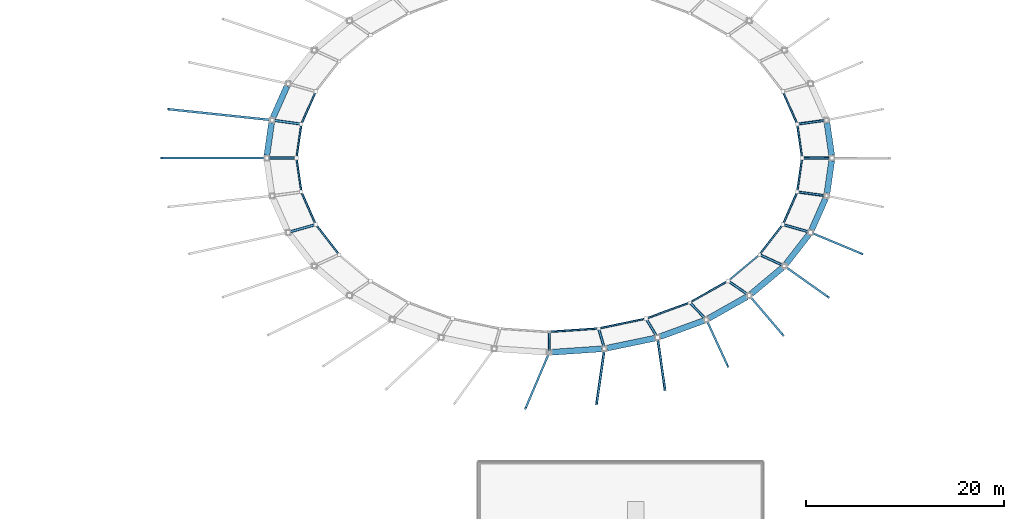
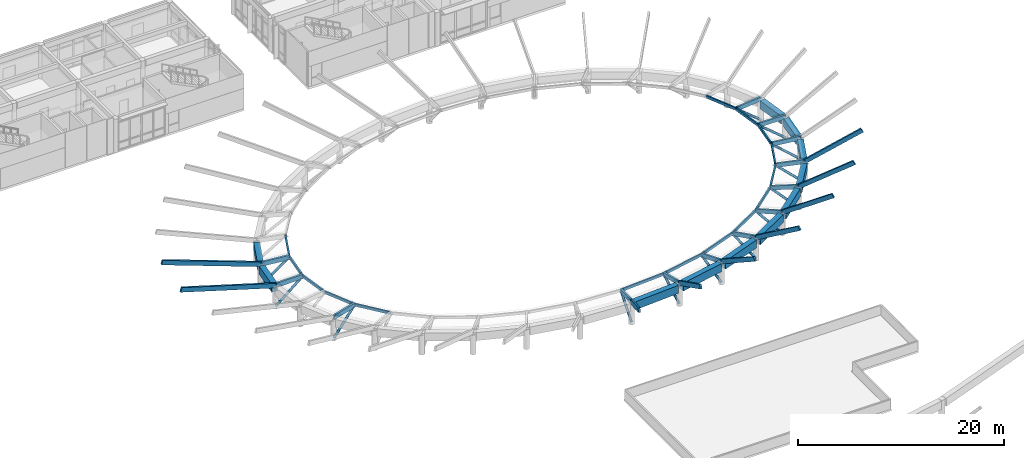
# One storey, part 3 of 37: 50 members, 11 beams.
"""IFC4 building model written with IfcOpenShell, lengths in metres."""

from ifc_helpers import new_model, si_unit, direction, frame, origin, origin_2d, place, context, subcontext, project, spatial, rectangle, hollow_circle, extrude, material, material_profile, profile_set, type_object, element, save


model = new_model("IFC4")

# Units and contexts
model_context = context("Model", 3, precision=1e-05, world=origin(), true_north=direction((0.0, 1.0)))
body_context = subcontext(model_context, "Body", "Model", "MODEL_VIEW")
ifc_project = project(units=[si_unit("LENGTHUNIT", "METRE"), si_unit("AREAUNIT", "SQUARE_METRE"), si_unit("VOLUMEUNIT", "CUBIC_METRE"), si_unit("PLANEANGLEUNIT", "RADIAN"), si_unit("MASSUNIT", "GRAM", prefix="KILO")], contexts=[model_context])

# Site, building, storey
site_placement = place(None, origin())
site = spatial("IfcSite", under=ifc_project, at=site_placement, CompositionType="ELEMENT")
building_placement = place(site_placement, origin())
building = spatial("IfcBuilding", under=site, at=building_placement, Name="Namkhue Oval Health Centre", CompositionType="ELEMENT")
storey_placement = place(building_placement, frame((0.0, 0.0, 22.199951171875)))
storey = spatial("IfcBuildingStorey", under=building, at=storey_placement, Name="L05", CompositionType="ELEMENT", Elevation=22.199951171875)

# Members
ifc_material_1 = material(Name="Structural steel EN 10025-2 S355JR (TCVN 5575:2024)", Category="steel")
ifc_material_profile_1 = material_profile(ifc_material_1, hollow_circle(Radius=0.136474609375, WallThickness=0.012451171875, at=origin_2d()), Name="CHS 273x12.5")
ifc_profile_set_1 = profile_set([ifc_material_profile_1], Name="Structural steel EN 10025-2 S355JR (TCVN 5575:2024)")
member_type_1 = type_object("IfcMemberType", Name="CANOPY STRUT CHS 273", PredefinedType="STRUT", material=ifc_profile_set_1)
member_1_placement = place(storey_placement, frame((129.296630859375, 59.39990234375, 0.11279296875), z_axis=(-0.768195730473, 0.0, 0.640215057369), x_axis=(0.0, -1.0, 0.0)))
element("IfcMember", 1, at=member_1_placement, inside=storey, type_object=member_type_1, Name="Oval Court Oculus Canopy Strut 1", PredefinedType="STRUT", context=body_context, shape_type="SweptSolid", body=[
    extrude(hollow_circle(Radius=0.136474609375, WallThickness=0.012451171875, at=origin_2d()), origin(), (0.0, 0.0, 1.0), 3.916259765625),
])
for number, where, z_axis, x_axis, name in (
    (2, (128.7490234375, 63.22216796875, 0.113037109375), (-0.757960970146, -0.103666182662, 0.644009697371), (0.135508280773, -0.990776213805, 0.0), "Oval Court Oculus Canopy Strut 2"),
    (3, (72.85107421875, 63.22216796875, 0.113037109375), (0.757960970146, -0.103666182662, 0.644009697371), (0.135508280773, 0.990776213805, 0.0), "Oval Court Oculus Canopy Strut 16"),
):
    element("IfcMember", number, at=place(storey_placement, frame(where, z_axis=z_axis, x_axis=x_axis)), inside=storey, type_object=member_type_1, Name=name, PredefinedType="STRUT", context=body_context, shape_type="SweptSolid", body=[
        extrude(hollow_circle(Radius=0.136474609375, WallThickness=0.012451171875, at=origin_2d()), origin(), (0.0, 0.0, 1.0), 3.892822265625),
    ])
member_2_placement = place(storey_placement, frame((72.303466796875, 59.39990234375, 0.11279296875), z_axis=(0.768195730473, 0.0, 0.640215057369), x_axis=(0.0, 1.0, 0.0)))
element("IfcMember", 4, at=member_2_placement, inside=storey, type_object=member_type_1, Name="Oval Court Oculus Canopy Strut 17", PredefinedType="STRUT", context=body_context, shape_type="SweptSolid", body=[
    extrude(hollow_circle(Radius=0.136474609375, WallThickness=0.012451171875, at=origin_2d()), origin(), (0.0, 0.0, 1.0), 3.916259765625),
])
member_3_placement = place(storey_placement, frame((74.472900390625, 51.90283203125, 0.113037109375), z_axis=(0.726479291949, 0.206827071786, 0.655324652936), x_axis=(-0.273817172182, 0.961781761221, 0.0)))
element("IfcMember", 5, at=member_3_placement, inside=storey, type_object=member_type_1, Name="Oval Court Oculus Canopy Strut 19", PredefinedType="STRUT", context=body_context, shape_type="SweptSolid", body=[
    extrude(hollow_circle(Radius=0.136474609375, WallThickness=0.012451171875, at=origin_2d()), origin(), (0.0, 0.0, 1.0), 3.82568359375),
])
member_4_placement = place(storey_placement, frame((100.800048828125, 39.810791015625, 0.115478515625), z_axis=(0.0, 0.636352754336, 0.771398192926), x_axis=(-1.0, 0.0, 0.0)))
element("IfcMember", 6, at=member_4_placement, inside=storey, type_object=member_type_1, Name="Oval Court Oculus Canopy Strut 25", PredefinedType="STRUT", context=body_context, shape_type="SweptSolid", body=[
    extrude(hollow_circle(Radius=0.136474609375, WallThickness=0.012451171875, at=origin_2d()), origin(), (0.0, 0.0, 1.0), 3.246826171875),
])
member_5_placement = place(storey_placement, frame((106.35888671875, 40.18701171875, 0.115234375), z_axis=(-0.179062462733, 0.618816612469, 0.764854649311), x_axis=(-0.96059272727, -0.277959731466, 0.0)))
element("IfcMember", 7, at=member_5_placement, inside=storey, type_object=member_type_1, Name="Oval Court Oculus Canopy Strut 26", PredefinedType="STRUT", context=body_context, shape_type="SweptSolid", body=[
    extrude(hollow_circle(Radius=0.136474609375, WallThickness=0.012451171875, at=origin_2d()), origin(), (0.0, 0.0, 1.0), 3.27490234375),
])
member_6_placement = place(storey_placement, frame((111.7041015625, 41.301513671875, 0.114990234375), z_axis=(-0.343057087119, 0.569407784033, 0.747051946293), x_axis=(-0.856554142156, -0.516057168883, 0.0)))
element("IfcMember", 8, at=member_6_placement, inside=storey, type_object=member_type_1, Name="Oval Court Oculus Canopy Strut 27", PredefinedType="STRUT", context=body_context, shape_type="SweptSolid", body=[
    extrude(hollow_circle(Radius=0.136474609375, WallThickness=0.012451171875, at=origin_2d()), origin(), (0.0, 0.0, 1.0), 3.353271484375),
])
member_7_placement = place(storey_placement, frame((116.630859375, 43.111328125, 0.114501953125), z_axis=(-0.481754857031, 0.495696315916, 0.722632285547), x_axis=(-0.717119357891, -0.696950375951, 0.0)))
element("IfcMember", 9, at=member_7_placement, inside=storey, type_object=member_type_1, Name="Oval Court Oculus Canopy Strut 28", PredefinedType="STRUT", context=body_context, shape_type="SweptSolid", body=[
    extrude(hollow_circle(Radius=0.136474609375, WallThickness=0.012451171875, at=origin_2d()), origin(), (0.0, 0.0, 1.0), 3.46728515625),
])
member_8_placement = place(storey_placement, frame((120.94921875, 45.54736328125, 0.114013671875), z_axis=(-0.591133806128, 0.406463876567, 0.696669175649), x_axis=(-0.56658503207, -0.824003277563, 0.0)))
element("IfcMember", 10, at=member_8_placement, inside=storey, type_object=member_type_1, Name="Oval Court Oculus Canopy Strut 29", PredefinedType="STRUT", context=body_context, shape_type="SweptSolid", body=[
    extrude(hollow_circle(Radius=0.136474609375, WallThickness=0.012451171875, at=origin_2d()), origin(), (0.0, 0.0, 1.0), 3.59716796875),
])
member_9_placement = place(storey_placement, frame((124.493408203125, 48.515869140625, 0.113525390625), z_axis=(-0.671831943496, 0.308633456276, 0.673340351803), x_axis=(-0.417448702354, -0.908700490207, 0.0)))
element("IfcMember", 11, at=member_9_placement, inside=storey, type_object=member_type_1, Name="Oval Court Oculus Canopy Strut 30", PredefinedType="STRUT", context=body_context, shape_type="SweptSolid", body=[
    extrude(hollow_circle(Radius=0.136474609375, WallThickness=0.012451171875, at=origin_2d()), origin(), (0.0, 0.0, 1.0), 3.72265625),
])
member_10_placement = place(storey_placement, frame((127.127197265625, 51.90283203125, 0.113037109375), z_axis=(-0.726479291949, 0.206827071786, 0.655324652936), x_axis=(-0.273817172182, -0.961781761221, 0.0)))
element("IfcMember", 12, at=member_10_placement, inside=storey, type_object=member_type_1, Name="Oval Court Oculus Canopy Strut 31", PredefinedType="STRUT", context=body_context, shape_type="SweptSolid", body=[
    extrude(hollow_circle(Radius=0.136474609375, WallThickness=0.012451171875, at=origin_2d()), origin(), (0.0, 0.0, 1.0), 3.82568359375),
])
member_11_placement = place(storey_placement, frame((128.7490234375, 55.577880859375, 0.113037109375), z_axis=(-0.757960970146, 0.103666182662, 0.644009697371), x_axis=(-0.135508280773, -0.990776213805, 0.0)))
element("IfcMember", 13, at=member_11_placement, inside=storey, type_object=member_type_1, Name="Oval Court Oculus Canopy Strut 32", PredefinedType="STRUT", context=body_context, shape_type="SweptSolid", body=[
    extrude(hollow_circle(Radius=0.136474609375, WallThickness=0.012451171875, at=origin_2d()), origin(), (0.0, 0.0, 1.0), 3.892822265625),
])
ifc_material_2 = material(Name="Glulam timber GL28h", Category="wood")
ifc_material_profile_2 = material_profile(ifc_material_2, rectangle(XDim=0.199951171875, YDim=0.47998046875, at=origin_2d()), Name="GL28h 200x480")
ifc_profile_set_2 = profile_set([ifc_material_profile_2], Name="Glulam timber GL28h")
member_type_2 = type_object("IfcMemberType", Name="GRIDSHELL ARCH RIB GL28H 200X480", PredefinedType="USERDEFINED", material=ifc_profile_set_2)
member_12_placement = place(storey_placement, frame((129.31201171875, 59.39990234375, 2.60009765625), z_axis=(-0.999912352719, 0.0, 0.013239595176), x_axis=(0.0, -1.0, 0.0)))
element("IfcMember", 14, at=member_12_placement, inside=storey, type_object=member_type_2, Name="Gridshell Glulam Arch Rib K6-1", ObjectType="ARCH_SEGMENT", PredefinedType="USERDEFINED", context=body_context, shape_type="SweptSolid", body=[
    extrude(rectangle(XDim=0.199951171875, YDim=0.47998046875, at=origin_2d()), origin(), (0.0, 0.0, 1.0), 3.024169921875),
])
member_13_placement = place(storey_placement, frame((128.76416015625, 63.22412109375, 2.60009765625), z_axis=(-0.990692847779, -0.135457756022, 0.013374516549), x_axis=(0.135469872834, -0.990781466094, 0.0)))
element("IfcMember", 15, at=member_13_placement, inside=storey, type_object=member_type_2, Name="Gridshell Glulam Arch Rib K6-2", ObjectType="ARCH_SEGMENT", PredefinedType="USERDEFINED", context=body_context, shape_type="SweptSolid", body=[
    extrude(rectangle(XDim=0.199951171875, YDim=0.47998046875, at=origin_2d()), origin(), (0.0, 0.0, 1.0), 2.99365234375),
])
member_14_placement = place(storey_placement, frame((98.39990234375, 34.155029296875, 5.800048828125), z_axis=(0.346993495203, 0.815828262448, -0.462622697755), x_axis=(-0.920222679638, 0.391395222096, 0.0)))
element("IfcMember", 16, at=member_14_placement, inside=storey, type_object=member_type_2, Name="Gridshell Glulam Arch Rib K5-25", ObjectType="ARCH_SEGMENT", PredefinedType="USERDEFINED", context=body_context, shape_type="SweptSolid", body=[
    extrude(rectangle(XDim=0.199951171875, YDim=0.47998046875, at=origin_2d()), origin(), (0.0, 0.0, 1.0), 6.9169921875),
])
member_15_placement = place(storey_placement, frame((100.800048828125, 39.798095703125, 2.60009765625), z_axis=(0.0, 0.999814575298, 0.01925655788), x_axis=(-1.0, 0.0, 0.0)))
element("IfcMember", 17, at=member_15_placement, inside=storey, type_object=member_type_2, Name="Gridshell Glulam Arch Rib K6-25", ObjectType="ARCH_SEGMENT", PredefinedType="USERDEFINED", context=body_context, shape_type="SweptSolid", body=[
    extrude(rectangle(XDim=0.199951171875, YDim=0.47998046875, at=origin_2d()), origin(), (0.0, 0.0, 1.0), 2.079345703125),
])
member_16_placement = place(storey_placement, frame((105.563720703125, 34.64013671875, 5.800048828125), z_axis=(0.123953417728, 0.859033942674, -0.496685247987), x_axis=(-0.989749418862, 0.142814872694, 0.0)))
element("IfcMember", 18, at=member_16_placement, inside=storey, type_object=member_type_2, Name="Gridshell Glulam Arch Rib K5-26", ObjectType="ARCH_SEGMENT", PredefinedType="USERDEFINED", context=body_context, shape_type="SweptSolid", body=[
    extrude(rectangle(XDim=0.199951171875, YDim=0.47998046875, at=origin_2d()), origin(), (0.0, 0.0, 1.0), 6.442626953125),
])
member_17_placement = place(storey_placement, frame((106.3623046875, 40.174560546875, 2.60009765625), z_axis=(-0.277829915568, 0.960445138587, 0.018859315461), x_axis=(-0.960615986739, -0.27787933716, 0.0)))
element("IfcMember", 19, at=member_17_placement, inside=storey, type_object=member_type_2, Name="Gridshell Glulam Arch Rib K6-26", ObjectType="ARCH_SEGMENT", PredefinedType="USERDEFINED", context=body_context, shape_type="SweptSolid", body=[
    extrude(rectangle(XDim=0.199951171875, YDim=0.47998046875, at=origin_2d()), origin(), (0.0, 0.0, 1.0), 2.123046875),
])
member_18_placement = place(storey_placement, frame((112.4521484375, 36.07666015625, 5.800048828125), z_axis=(-0.120251267975, 0.846077619878, -0.519319067329), x_axis=(-0.990050313687, -0.140713810155, 0.0)))
element("IfcMember", 20, at=member_18_placement, inside=storey, type_object=member_type_2, Name="Gridshell Glulam Arch Rib K5-27", ObjectType="ARCH_SEGMENT", PredefinedType="USERDEFINED", context=body_context, shape_type="SweptSolid", body=[
    extrude(rectangle(XDim=0.199951171875, YDim=0.47998046875, at=origin_2d()), origin(), (0.0, 0.0, 1.0), 6.161865234375),
])
member_19_placement = place(storey_placement, frame((111.711181640625, 41.2900390625, 2.60009765625), z_axis=(-0.515949652384, 0.856432882903, 0.017851422572), x_axis=(-0.856569376667, -0.516031881724, 0.0)))
element("IfcMember", 21, at=member_19_placement, inside=storey, type_object=member_type_2, Name="Gridshell Glulam Arch Rib K6-27", ObjectType="ARCH_SEGMENT", PredefinedType="USERDEFINED", context=body_context, shape_type="SweptSolid", body=[
    extrude(rectangle(XDim=0.199951171875, YDim=0.47998046875, at=origin_2d()), origin(), (0.0, 0.0, 1.0), 2.242919921875),
])
member_20_placement = place(storey_placement, frame((118.800537109375, 38.40966796875, 5.800048828125), z_axis=(-0.3555128309, 0.772179654637, -0.52663954279), x_axis=(-0.908351867032, -0.418206749896, 0.0)))
element("IfcMember", 22, at=member_20_placement, inside=storey, type_object=member_type_2, Name="Gridshell Glulam Arch Rib K5-28", ObjectType="ARCH_SEGMENT", PredefinedType="USERDEFINED", context=body_context, shape_type="SweptSolid", body=[
    extrude(rectangle(XDim=0.199951171875, YDim=0.47998046875, at=origin_2d()), origin(), (0.0, 0.0, 1.0), 6.076171875),
])
member_21_placement = place(storey_placement, frame((116.640380859375, 43.1015625, 2.60009765625), z_axis=(-0.696860751709, 0.717014114533, 0.016608801523), x_axis=(-0.71711302999, -0.696956886915, 0.0)))
element("IfcMember", 23, at=member_21_placement, inside=storey, type_object=member_type_2, Name="Gridshell Glulam Arch Rib K6-28", ObjectType="ARCH_SEGMENT", PredefinedType="USERDEFINED", context=body_context, shape_type="SweptSolid", body=[
    extrude(rectangle(XDim=0.199951171875, YDim=0.47998046875, at=origin_2d()), origin(), (0.0, 0.0, 1.0), 2.41064453125),
])
member_22_placement = place(storey_placement, frame((124.364990234375, 41.549072265625, 5.800048828125), z_axis=(-0.554041394979, 0.649447935131, -0.520821958258), x_axis=(-0.76077581671, -0.649014758468, 0.0)))
element("IfcMember", 24, at=member_22_placement, inside=storey, type_object=member_type_2, Name="Gridshell Glulam Arch Rib K5-29", ObjectType="ARCH_SEGMENT", PredefinedType="USERDEFINED", context=body_context, shape_type="SweptSolid", body=[
    extrude(rectangle(XDim=0.199951171875, YDim=0.47998046875, at=origin_2d()), origin(), (0.0, 0.0, 1.0), 6.14404296875),
])
member_23_placement = place(storey_placement, frame((120.9609375, 45.539306640625, 2.60009765625), z_axis=(-0.823949324389, 0.566453400565, 0.015429057913), x_axis=(-0.566520836372, -0.824047414872, 0.0)))
element("IfcMember", 25, at=member_23_placement, inside=storey, type_object=member_type_2, Name="Gridshell Glulam Arch Rib K6-29", ObjectType="ARCH_SEGMENT", PredefinedType="USERDEFINED", context=body_context, shape_type="SweptSolid", body=[
    extrude(rectangle(XDim=0.199951171875, YDim=0.47998046875, at=origin_2d()), origin(), (0.0, 0.0, 1.0), 2.594970703125),
])
member_24_placement = place(storey_placement, frame((128.931640625, 45.37451171875, 5.800048828125), z_axis=(-0.702718304958, 0.497920352696, -0.508195145833), x_axis=(-0.578142243998, -0.815935993632, 0.0)))
element("IfcMember", 26, at=member_24_placement, inside=storey, type_object=member_type_2, Name="Gridshell Glulam Arch Rib K5-30", ObjectType="ARCH_SEGMENT", PredefinedType="USERDEFINED", context=body_context, shape_type="SweptSolid", body=[
    extrude(rectangle(XDim=0.199951171875, YDim=0.47998046875, at=origin_2d()), origin(), (0.0, 0.0, 1.0), 6.296630859375),
])
member_25_placement = place(storey_placement, frame((124.5068359375, 48.509765625, 2.60009765625), z_axis=(-0.908614289057, 0.417385590982, 0.014468661366), x_axis=(-0.417429286044, -0.908709409632, 0.0)))
element("IfcMember", 27, at=member_25_placement, inside=storey, type_object=member_type_2, Name="Gridshell Glulam Arch Rib K6-30", ObjectType="ARCH_SEGMENT", PredefinedType="USERDEFINED", context=body_context, shape_type="SweptSolid", body=[
    extrude(rectangle(XDim=0.199951171875, YDim=0.47998046875, at=origin_2d()), origin(), (0.0, 0.0, 1.0), 2.767333984375),
])
member_26_placement = place(storey_placement, frame((132.324951171875, 49.7392578125, 5.800048828125), z_axis=(-0.80200804084, 0.334122797853, -0.495121256243), x_axis=(-0.38456907546, -0.923096217195, 0.0)))
element("IfcMember", 28, at=member_26_placement, inside=storey, type_object=member_type_2, Name="Gridshell Glulam Arch Rib K5-31", ObjectType="ARCH_SEGMENT", PredefinedType="USERDEFINED", context=body_context, shape_type="SweptSolid", body=[
    extrude(rectangle(XDim=0.199951171875, YDim=0.47998046875, at=origin_2d()), origin(), (0.0, 0.0, 1.0), 6.462890625),
])
member_27_placement = place(storey_placement, frame((127.1416015625, 51.898681640625, 2.60009765625), z_axis=(-0.961663782937, 0.273884669107, 0.013782474911), x_axis=(-0.273910685916, -0.96175513315, 0.0)))
element("IfcMember", 29, at=member_27_placement, inside=storey, type_object=member_type_2, Name="Gridshell Glulam Arch Rib K6-31", ObjectType="ARCH_SEGMENT", PredefinedType="USERDEFINED", context=body_context, shape_type="SweptSolid", body=[
    extrude(rectangle(XDim=0.199951171875, YDim=0.47998046875, at=origin_2d()), origin(), (0.0, 0.0, 1.0), 2.905029296875),
])
member_28_placement = place(storey_placement, frame((128.76416015625, 55.575927734375, 2.60009765625), z_axis=(-0.990692847779, 0.135457756022, 0.013374516549), x_axis=(-0.135469872834, -0.990781466094, 0.0)))
element("IfcMember", 30, at=member_28_placement, inside=storey, type_object=member_type_2, Name="Gridshell Glulam Arch Rib K6-32", ObjectType="ARCH_SEGMENT", PredefinedType="USERDEFINED", context=body_context, shape_type="SweptSolid", body=[
    extrude(rectangle(XDim=0.199951171875, YDim=0.47998046875, at=origin_2d()), origin(), (0.0, 0.0, 1.0), 2.99365234375),
])
ifc_material_profile_3 = material_profile(ifc_material_2, rectangle(XDim=0.219970703125, YDim=0.52001953125, at=origin_2d()), Name="GL28h 220x520")
ifc_profile_set_3 = profile_set([ifc_material_profile_3], Name="Glulam timber GL28h")
member_type_3 = type_object("IfcMemberType", Name="GRIDSHELL ARCH RIB GL28H 220X520", PredefinedType="USERDEFINED", material=ifc_profile_set_3)
member_29_placement = place(storey_placement, frame((62.385498046875, 64.324951171875, 5.800048828125), z_axis=(0.951364924744, -0.100215032021, -0.291310362542), x_axis=(0.104758557638, 0.994497684563, 0.0)))
element("IfcMember", 31, at=member_29_placement, inside=storey, type_object=member_type_3, Name="Gridshell Glulam Arch Rib K5-16", ObjectType="ARCH_SEGMENT", PredefinedType="USERDEFINED", context=body_context, shape_type="SweptSolid", body=[
    extrude(rectangle(XDim=0.219970703125, YDim=0.52001953125, at=origin_2d()), origin(), (0.0, 0.0, 1.0), 10.984619140625),
])
member_30_placement = place(storey_placement, frame((72.8359375, 63.22412109375, 2.60009765625), z_axis=(0.990692847779, -0.135457756022, 0.013374516549), x_axis=(0.135469872834, 0.990781466094, 0.0)))
element("IfcMember", 32, at=member_30_placement, inside=storey, type_object=member_type_3, Name="Gridshell Glulam Arch Rib K6-16", ObjectType="ARCH_SEGMENT", PredefinedType="USERDEFINED", context=body_context, shape_type="SweptSolid", body=[
    extrude(rectangle(XDim=0.219970703125, YDim=0.52001953125, at=origin_2d()), origin(), (0.0, 0.0, 1.0), 2.99365234375),
])
member_31_placement = place(storey_placement, frame((61.679931640625, 59.39990234375, 5.800048828125), z_axis=(0.957390374949, 0.0, -0.288796935501), x_axis=(0.0, 1.0, 0.0)))
element("IfcMember", 33, at=member_31_placement, inside=storey, type_object=member_type_3, Name="Gridshell Glulam Arch Rib K5-17", ObjectType="ARCH_SEGMENT", PredefinedType="USERDEFINED", context=body_context, shape_type="SweptSolid", body=[
    extrude(rectangle(XDim=0.219970703125, YDim=0.52001953125, at=origin_2d()), origin(), (0.0, 0.0, 1.0), 11.080322265625),
])
member_32_placement = place(storey_placement, frame((72.2880859375, 59.39990234375, 2.60009765625), z_axis=(0.999912352719, 0.0, 0.013239595176), x_axis=(0.0, 1.0, 0.0)))
element("IfcMember", 34, at=member_32_placement, inside=storey, type_object=member_type_3, Name="Gridshell Glulam Arch Rib K6-17", ObjectType="ARCH_SEGMENT", PredefinedType="USERDEFINED", context=body_context, shape_type="SweptSolid", body=[
    extrude(rectangle(XDim=0.219970703125, YDim=0.52001953125, at=origin_2d()), origin(), (0.0, 0.0, 1.0), 3.024169921875),
])
member_33_placement = place(storey_placement, frame((74.458251953125, 51.898681640625, 2.60009765625), z_axis=(0.961670102173, 0.273862536087, 0.013781361129), x_axis=(-0.273888546589, 0.96176143822, 0.0)))
element("IfcMember", 35, at=member_33_placement, inside=storey, type_object=member_type_3, Name="Gridshell Glulam Arch Rib K6-19", ObjectType="ARCH_SEGMENT", PredefinedType="USERDEFINED", context=body_context, shape_type="SweptSolid", body=[
    extrude(rectangle(XDim=0.219970703125, YDim=0.52001953125, at=origin_2d()), origin(), (0.0, 0.0, 1.0), 2.9052734375),
])
ifc_material_profile_4 = material_profile(ifc_material_2, rectangle(XDim=0.159912109375, YDim=0.320068359375, at=origin_2d()), Name="GL28h 160x320")
ifc_profile_set_4 = profile_set([ifc_material_profile_4], Name="Glulam timber GL28h")
member_type_4 = type_object("IfcMemberType", Name="GRIDSHELL OCULUS PURLIN GL28H 160X320", PredefinedType="PURLIN", material=ifc_profile_set_4)
member_34_placement = place(storey_placement, frame((126.2822265625, 59.439697265625, 2.64013671875), z_axis=(-0.141775968013, 0.989898770024, 0.0), x_axis=(-0.989898770024, -0.141775968013, 0.0)))
element("IfcMember", 36, at=member_34_placement, inside=storey, type_object=member_type_4, Name="Gridshell Hoop Purlin K7-1", PredefinedType="PURLIN", context=body_context, shape_type="SweptSolid", body=[
    extrude(rectangle(XDim=0.159912109375, YDim=0.320068359375, at=origin_2d()), origin(), (0.0, 0.0, 1.0), 3.37353515625),
])
member_35_placement = place(storey_placement, frame((125.781982421875, 62.855224609375, 2.64013671875), z_axis=(-0.403660739663, 0.914908742583, 0.0), x_axis=(-0.914908742583, -0.403660739663, 0.0)))
element("IfcMember", 37, at=member_35_placement, inside=storey, type_object=member_type_4, Name="Gridshell Hoop Purlin K7-2", PredefinedType="PURLIN", context=body_context, shape_type="SweptSolid", body=[
    extrude(rectangle(XDim=0.159912109375, YDim=0.320068359375, at=origin_2d()), origin(), (0.0, 0.0, 1.0), 3.5126953125),
])
member_36_placement = place(storey_placement, frame((77.236083984375, 66.069091796875, 2.64013671875), z_axis=(-0.403718913429, -0.914883073917, 0.0), x_axis=(0.914883073917, -0.403718913429, 0.0)))
element("IfcMember", 38, at=member_36_placement, inside=storey, type_object=member_type_4, Name="Gridshell Hoop Purlin K7-15", PredefinedType="PURLIN", context=body_context, shape_type="SweptSolid", body=[
    extrude(rectangle(XDim=0.159912109375, YDim=0.320068359375, at=origin_2d()), origin(), (0.0, 0.0, 1.0), 3.512939453125),
])
for number, where, z_axis, x_axis, name in (
    (39, (75.796142578125, 62.779052734375, 2.64013671875), (-0.141846883823, -0.989888610678, 0.0), (0.989888610678, -0.141846883823, 0.0), "Gridshell Hoop Purlin K7-16"),
    (40, (75.317626953125, 59.3603515625, 2.64013671875), (0.141846883823, -0.989888610678, 0.0), (0.989888610678, 0.141846883823, 0.0), "Gridshell Hoop Purlin K7-17"),
):
    element("IfcMember", number, at=place(storey_placement, frame(where, z_axis=z_axis, x_axis=x_axis)), inside=storey, type_object=member_type_4, Name=name, PredefinedType="PURLIN", context=body_context, shape_type="SweptSolid", body=[
        extrude(rectangle(XDim=0.159912109375, YDim=0.320068359375, at=origin_2d()), origin(), (0.0, 0.0, 1.0), 3.37353515625),
    ])
member_37_placement = place(storey_placement, frame((75.81787109375, 55.94482421875, 2.64013671875), z_axis=(0.403693245107, -0.914894400385, 0.0), x_axis=(0.914894400385, 0.403693245107, 0.0)))
element("IfcMember", 41, at=member_37_placement, inside=storey, type_object=member_type_4, Name="Gridshell Hoop Purlin K7-18", PredefinedType="PURLIN", context=body_context, shape_type="SweptSolid", body=[
    extrude(rectangle(XDim=0.159912109375, YDim=0.320068359375, at=origin_2d()), origin(), (0.0, 0.0, 1.0), 3.51318359375),
])
member_38_placement = place(storey_placement, frame((77.276611328125, 52.66259765625, 2.64013671875), z_axis=(0.613819152913, -0.789446671737, 0.0), x_axis=(0.789446671737, 0.613819152913, 0.0)))
element("IfcMember", 42, at=member_38_placement, inside=storey, type_object=member_type_4, Name="Gridshell Hoop Purlin K7-19", PredefinedType="PURLIN", context=body_context, shape_type="SweptSolid", body=[
    extrude(rectangle(XDim=0.159912109375, YDim=0.320068359375, at=origin_2d()), origin(), (0.0, 0.0, 1.0), 3.757568359375),
])
member_39_placement = place(storey_placement, frame((100.83984375, 41.879638671875, 2.64013671875), z_axis=(0.997715449904, 0.067556502446, 0.0), x_axis=(-0.067556502446, 0.997715449904, 0.0)))
element("IfcMember", 43, at=member_39_placement, inside=storey, type_object=member_type_4, Name="Gridshell Hoop Purlin K7-25", PredefinedType="PURLIN", context=body_context, shape_type="SweptSolid", body=[
    extrude(rectangle(XDim=0.159912109375, YDim=0.320068359375, at=origin_2d()), origin(), (0.0, 0.0, 1.0), 4.904052734375),
])
member_40_placement = place(storey_placement, frame((105.8115234375, 42.221923828125, 2.64013671875), z_axis=(0.978943199485, 0.204132829751, 0.0), x_axis=(-0.204132829751, 0.978943199485, 0.0)))
element("IfcMember", 44, at=member_40_placement, inside=storey, type_object=member_type_4, Name="Gridshell Hoop Purlin K7-26", PredefinedType="PURLIN", context=body_context, shape_type="SweptSolid", body=[
    extrude(rectangle(XDim=0.159912109375, YDim=0.320068359375, at=origin_2d()), origin(), (0.0, 0.0, 1.0), 4.80419921875),
])
member_41_placement = place(storey_placement, frame((110.59130859375, 43.224609375, 2.64013671875), z_axis=(0.938626419192, 0.344935421775, 0.0), x_axis=(-0.344935421775, 0.938626419192, 0.0)))
element("IfcMember", 45, at=member_41_placement, inside=storey, type_object=member_type_4, Name="Gridshell Hoop Purlin K7-27", PredefinedType="PURLIN", context=body_context, shape_type="SweptSolid", body=[
    extrude(rectangle(XDim=0.159912109375, YDim=0.320068359375, at=origin_2d()), origin(), (0.0, 0.0, 1.0), 4.61474609375),
])
member_42_placement = place(storey_placement, frame((114.9951171875, 44.849853515625, 2.64013671875), z_axis=(0.870938479787, 0.491392067932, 0.0), x_axis=(-0.491392067932, 0.870938479787, 0.0)))
element("IfcMember", 46, at=member_42_placement, inside=storey, type_object=member_type_4, Name="Gridshell Hoop Purlin K7-28", PredefinedType="PURLIN", context=body_context, shape_type="SweptSolid", body=[
    extrude(rectangle(XDim=0.159912109375, YDim=0.320068359375, at=origin_2d()), origin(), (0.0, 0.0, 1.0), 4.354736328125),
])
member_43_placement = place(storey_placement, frame((118.853515625, 47.03515625, 2.64013671875), z_axis=(0.766560531818, 0.642172057208, 0.0), x_axis=(-0.642172057208, 0.766560531818, 0.0)))
element("IfcMember", 47, at=member_43_placement, inside=storey, type_object=member_type_4, Name="Gridshell Hoop Purlin K7-29", PredefinedType="PURLIN", context=body_context, shape_type="SweptSolid", body=[
    extrude(rectangle(XDim=0.159912109375, YDim=0.320068359375, at=origin_2d()), origin(), (0.0, 0.0, 1.0), 4.054931640625),
])
member_44_placement = place(storey_placement, frame((122.01708984375, 49.6962890625, 2.64013671875), z_axis=(0.613778656357, 0.789478157393, 0.0), x_axis=(-0.789478157393, 0.613778656357, 0.0)))
element("IfcMember", 48, at=member_44_placement, inside=storey, type_object=member_type_4, Name="Gridshell Hoop Purlin K7-30", PredefinedType="PURLIN", context=body_context, shape_type="SweptSolid", body=[
    extrude(rectangle(XDim=0.159912109375, YDim=0.320068359375, at=origin_2d()), origin(), (0.0, 0.0, 1.0), 3.75732421875),
])
member_45_placement = place(storey_placement, frame((124.364013671875, 52.730712890625, 2.64013671875), z_axis=(0.403635073599, 0.914920066104, 0.0), x_axis=(-0.914920066104, 0.403635073599, 0.0)))
element("IfcMember", 49, at=member_45_placement, inside=storey, type_object=member_type_4, Name="Gridshell Hoop Purlin K7-31", PredefinedType="PURLIN", context=body_context, shape_type="SweptSolid", body=[
    extrude(rectangle(XDim=0.159912109375, YDim=0.320068359375, at=origin_2d()), origin(), (0.0, 0.0, 1.0), 3.512939453125),
])
member_46_placement = place(storey_placement, frame((125.803955078125, 56.02099609375, 2.64013671875), z_axis=(0.141775968013, 0.989898770024, 0.0), x_axis=(-0.989898770024, 0.141775968013, 0.0)))
element("IfcMember", 50, at=member_46_placement, inside=storey, type_object=member_type_4, Name="Gridshell Hoop Purlin K7-32", PredefinedType="PURLIN", context=body_context, shape_type="SweptSolid", body=[
    extrude(rectangle(XDim=0.159912109375, YDim=0.320068359375, at=origin_2d()), origin(), (0.0, 0.0, 1.0), 3.37353515625),
])

# Beams
ifc_material_3 = material(Name="Reinforced concrete C35/45 (TCVN B40)", Category="concrete")
ifc_material_profile_5 = material_profile(ifc_material_3, rectangle(XDim=0.60009765625, YDim=0.949951171875, at=origin_2d()), Name="RC 600x950")
ifc_profile_set_5 = profile_set([ifc_material_profile_5], Name="Reinforced concrete C35/45 (TCVN B40)")
beam_type = type_object("IfcBeamType", Name="RING GIRDER RC 600X950", PredefinedType="USERDEFINED", material=ifc_profile_set_5)
beam_1_placement = place(storey_placement, frame((129.272216796875, 59.67724609375, 2.125), z_axis=(-0.141762820311, 0.989900652984, 0.0), x_axis=(-0.989900652984, -0.141762820311, 0.0)))
element("IfcBeam", 51, at=beam_1_placement, inside=storey, type_object=beam_type, Name="Gridshell IR Concrete Ring Girder 1", ObjectType="GIRDER", PredefinedType="USERDEFINED", context=body_context, shape_type="SweptSolid", body=[
    extrude(rectangle(XDim=0.60009765625, YDim=0.949951171875, at=origin_2d()), origin(), (0.0, 0.0, 1.0), 3.30322265625),
])
beam_2_placement = place(storey_placement, frame((74.34521484375, 66.645263671875, 2.125), z_axis=(-0.403615880953, -0.914928533079, 0.0), x_axis=(0.914928533079, -0.403615880953, 0.0)))
element("IfcBeam", 52, at=beam_2_placement, inside=storey, type_object=beam_type, Name="Gridshell IR Concrete Ring Girder 15", ObjectType="GIRDER", PredefinedType="USERDEFINED", context=body_context, shape_type="SweptSolid", body=[
    extrude(rectangle(XDim=0.60009765625, YDim=0.949951171875, at=origin_2d()), origin(), (0.0, 0.0, 1.0), 3.459228515625),
])
beam_3_placement = place(storey_placement, frame((72.796142578125, 62.947021484375, 2.125), z_axis=(-0.141835245583, -0.989890278319, 0.0), x_axis=(0.989890278319, -0.141835245583, 0.0)))
element("IfcBeam", 53, at=beam_3_placement, inside=storey, type_object=beam_type, Name="Gridshell IR Concrete Ring Girder 16", ObjectType="GIRDER", PredefinedType="USERDEFINED", context=body_context, shape_type="SweptSolid", body=[
    extrude(rectangle(XDim=0.60009765625, YDim=0.949951171875, at=origin_2d()), origin(), (0.0, 0.0, 1.0), 3.30322265625),
])
beam_4_placement = place(storey_placement, frame((101.079345703125, 39.81689453125, 2.125), z_axis=(0.997714599605, 0.067569059002, 0.0), x_axis=(-0.067569059002, 0.997714599605, 0.0)))
element("IfcBeam", 54, at=beam_4_placement, inside=storey, type_object=beam_type, Name="Gridshell IR Concrete Ring Girder 25", ObjectType="GIRDER", PredefinedType="USERDEFINED", context=body_context, shape_type="SweptSolid", body=[
    extrude(rectangle(XDim=0.60009765625, YDim=0.949951171875, at=origin_2d()), origin(), (0.0, 0.0, 1.0), 5.01513671875),
])
beam_5_placement = place(storey_placement, frame((106.636474609375, 40.231689453125, 2.125), z_axis=(0.978935249032, 0.204170953378, 0.0), x_axis=(-0.204170953378, 0.978935249032, 0.0)))
element("IfcBeam", 55, at=beam_5_placement, inside=storey, type_object=beam_type, Name="Gridshell IR Concrete Ring Girder 26", ObjectType="GIRDER", PredefinedType="USERDEFINED", context=body_context, shape_type="SweptSolid", body=[
    extrude(rectangle(XDim=0.60009765625, YDim=0.949951171875, at=origin_2d()), origin(), (0.0, 0.0, 1.0), 4.90380859375),
])
beam_6_placement = place(storey_placement, frame((111.973876953125, 41.38671875, 2.125), z_axis=(0.938639507734, 0.344899803596, 0.0), x_axis=(-0.344899803596, 0.938639507734, 0.0)))
element("IfcBeam", 56, at=beam_6_placement, inside=storey, type_object=beam_type, Name="Gridshell IR Concrete Ring Girder 27", ObjectType="GIRDER", PredefinedType="USERDEFINED", context=body_context, shape_type="SweptSolid", body=[
    extrude(rectangle(XDim=0.60009765625, YDim=0.949951171875, at=origin_2d()), origin(), (0.0, 0.0, 1.0), 4.691650390625),
])
beam_7_placement = place(storey_placement, frame((116.88427734375, 43.239013671875, 2.125), z_axis=(0.870940726299, 0.491388086214, 0.0), x_axis=(-0.491388086214, 0.870940726299, 0.0)))
element("IfcBeam", 57, at=beam_7_placement, inside=storey, type_object=beam_type, Name="Gridshell IR Concrete Ring Girder 28", ObjectType="GIRDER", PredefinedType="USERDEFINED", context=body_context, shape_type="SweptSolid", body=[
    extrude(rectangle(XDim=0.60009765625, YDim=0.949951171875, at=origin_2d()), origin(), (0.0, 0.0, 1.0), 4.40087890625),
])
beam_8_placement = place(storey_placement, frame((121.17578125, 45.718994140625, 2.125), z_axis=(0.766550041917, 0.642184578791, 0.0), x_axis=(-0.642184578791, 0.766550041917, 0.0)))
element("IfcBeam", 58, at=beam_8_placement, inside=storey, type_object=beam_type, Name="Gridshell IR Concrete Ring Girder 29", ObjectType="GIRDER", PredefinedType="USERDEFINED", context=body_context, shape_type="SweptSolid", body=[
    extrude(rectangle(XDim=0.60009765625, YDim=0.949951171875, at=origin_2d()), origin(), (0.0, 0.0, 1.0), 4.065673828125),
])
beam_9_placement = place(storey_placement, frame((124.6787109375, 48.730712890625, 2.125), z_axis=(0.613786641977, 0.78947194892, 0.0), x_axis=(-0.78947194892, 0.613786641977, 0.0)))
element("IfcBeam", 59, at=beam_9_placement, inside=storey, type_object=beam_type, Name="Gridshell IR Concrete Ring Girder 30", ObjectType="GIRDER", PredefinedType="USERDEFINED", context=body_context, shape_type="SweptSolid", body=[
    extrude(rectangle(XDim=0.60009765625, YDim=0.949951171875, at=origin_2d()), origin(), (0.0, 0.0, 1.0), 3.732666015625),
])
beam_10_placement = place(storey_placement, frame((127.254638671875, 52.15478515625, 2.125), z_axis=(0.40370102158, 0.91489096901, 0.0), x_axis=(-0.91489096901, 0.40370102158, 0.0)))
element("IfcBeam", 60, at=beam_10_placement, inside=storey, type_object=beam_type, Name="Gridshell IR Concrete Ring Girder 31", ObjectType="GIRDER", PredefinedType="USERDEFINED", context=body_context, shape_type="SweptSolid", body=[
    extrude(rectangle(XDim=0.60009765625, YDim=0.949951171875, at=origin_2d()), origin(), (0.0, 0.0, 1.0), 3.459228515625),
])
beam_11_placement = place(storey_placement, frame((128.803955078125, 55.85302734375, 2.125), z_axis=(0.141762820311, 0.989900652984, 0.0), x_axis=(-0.989900652984, 0.141762820311, 0.0)))
element("IfcBeam", 61, at=beam_11_placement, inside=storey, type_object=beam_type, Name="Gridshell IR Concrete Ring Girder 32", ObjectType="GIRDER", PredefinedType="USERDEFINED", context=body_context, shape_type="SweptSolid", body=[
    extrude(rectangle(XDim=0.60009765625, YDim=0.949951171875, at=origin_2d()), origin(), (0.0, 0.0, 1.0), 3.30322265625),
])

save(model, "model.ifc")
